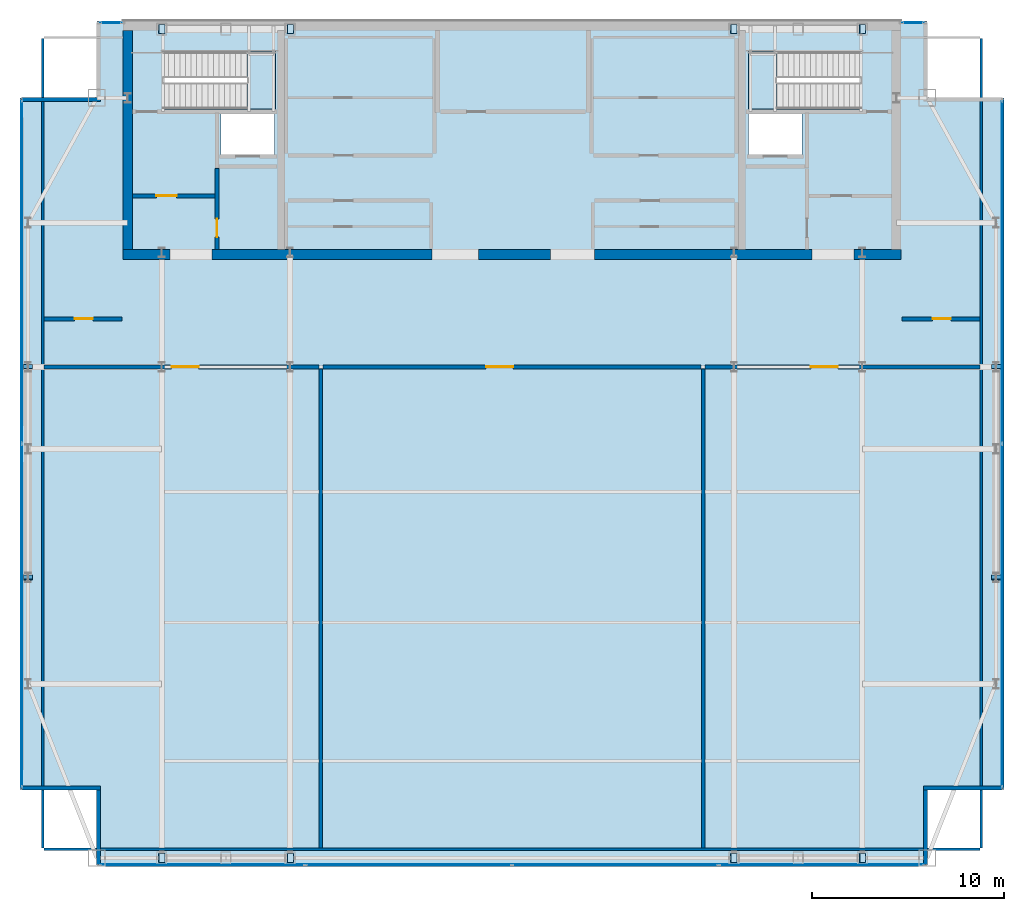
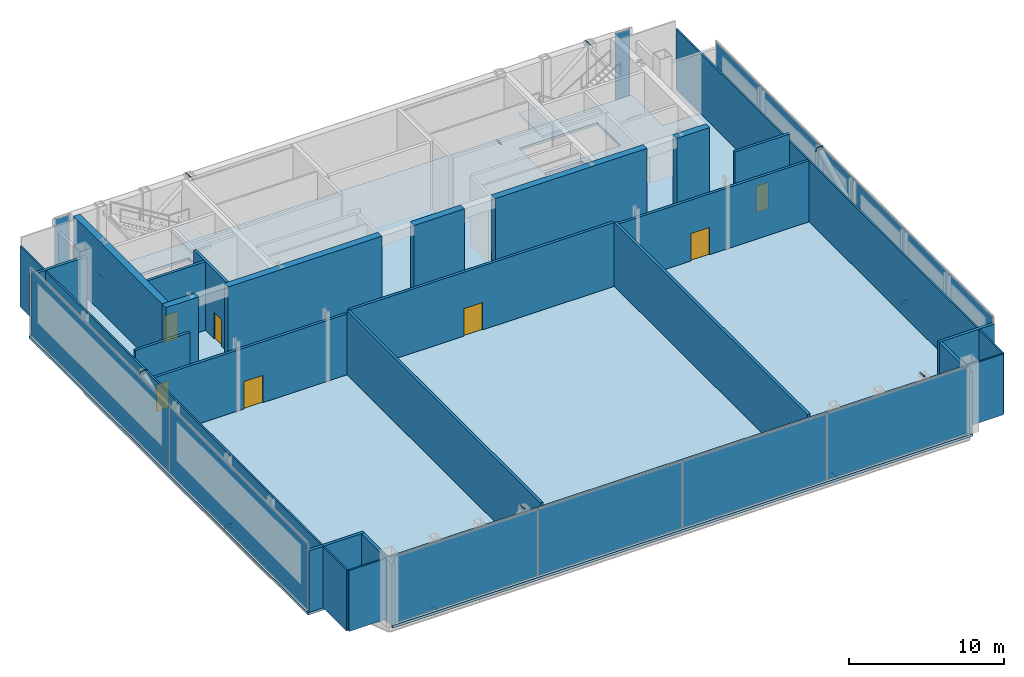
# One storey, part 18 of 22: 23 walls, 22 plates, 7 doors, 3 slabs, 7 openings, 7 elements without a shape of their own.
"""IFC4 building model written with IfcOpenShell, lengths in metres."""

from ifc_helpers import new_model, si_unit, direction, frame, frame_2d, origin, origin_2d, place, context, subcontext, project, spatial, polyline, rectangle, outline, extrude, material, layer, layer_set, type_object, element, fill, aggregate, save


model = new_model("IFC4")

# Units and contexts
model_context = context("Model", 3, precision=1e-05, world=origin(), true_north=direction((0.0, 1.0)))
body_context = subcontext(model_context, "Body", "Model", "MODEL_VIEW")
ifc_project = project(units=[si_unit("LENGTHUNIT", "METRE"), si_unit("AREAUNIT", "SQUARE_METRE"), si_unit("VOLUMEUNIT", "CUBIC_METRE"), si_unit("PLANEANGLEUNIT", "RADIAN"), si_unit("MASSUNIT", "GRAM", prefix="KILO")], contexts=[model_context])

# Site, building, storey
site_placement = place(None, origin())
site = spatial("IfcSite", under=ifc_project, at=site_placement, CompositionType="ELEMENT")
building_placement = place(site_placement, origin())
building = spatial("IfcBuilding", under=site, at=building_placement, Name="Khoronbel Lancet Exchange", CompositionType="ELEMENT")
storey_placement = place(building_placement, frame((0.0, 0.0, 373.0)))
storey = spatial("IfcBuildingStorey", under=building, at=storey_placement, Name="L95", CompositionType="ELEMENT", Elevation=373.0)

# Curtain wall, plates
ifc_material_1 = material(Name="Low-E Solar Control Insulating Glass", Category="glass")
curtain_wall_type = type_object("IfcCurtainWallType", Name="CW-6", PredefinedType="NOTDEFINED", material=ifc_material_1)
curtain_wall_1_placement = place(storey_placement, origin())
curtain_wall_1 = element("IfcCurtainWall", 1, at=curtain_wall_1_placement, inside=storey, type_object=curtain_wall_type, Name="Unitised curtain wall CW-L95-E03", PredefinedType="NOTDEFINED")
ifc_material_2 = material(Name="Bronze-Anodised Aluminium 6063-T6", Category="aluminium")
ifc_layer_1 = layer(ifc_material_2, 0.050048828125, Name="Bronze-Anodised Aluminium 6063-T6")
ifc_layer_set_1 = layer_set([ifc_layer_1], Name="Bronze-Anodised Aluminium 6063-T6")
plate_type_1 = type_object("IfcPlateType", Name="PLT-CSP1", PredefinedType="SHEET", material=ifc_layer_set_1)
plate_1_placement = place(storey_placement, frame((10.93994140625, 22.763671875, 0.0849609375), z_axis=(0.0, 0.0, 1.0), x_axis=(0.0, 1.0, 0.0)))
plate_1 = element("IfcPlate", 2, at=plate_1_placement, type_object=plate_type_1, Name="CW6 panel 1.1", PredefinedType="CURTAIN_PANEL", context=body_context, shape_type="SweptSolid", body=[
    extrude(rectangle(XDim=17.797607421875, YDim=0.0380859375, at=origin_2d()), origin(), (0.0, 0.0, 1.0), 5.22998046875),
])
plate_2_placement = place(storey_placement, frame((10.93994140625, 40.63623046875, 0.0849609375), z_axis=(0.0, 0.0, 1.0), x_axis=(0.0, 1.0, 0.0)))
plate_2 = element("IfcPlate", 3, at=plate_2_placement, type_object=plate_type_1, Name="CW6 panel 2.1", PredefinedType="CURTAIN_PANEL", context=body_context, shape_type="SweptSolid", body=[
    extrude(rectangle(XDim=17.797607421875, YDim=0.0380859375, at=origin_2d()), origin(), (0.0, 0.0, 1.0), 5.22998046875),
])
aggregate(curtain_wall_1, [plate_1, plate_2])

# Curtain wall, plate
curtain_wall_2_placement = place(storey_placement, origin())
curtain_wall_2 = element("IfcCurtainWall", 4, at=curtain_wall_2_placement, inside=storey, type_object=curtain_wall_type, Name="Unitised curtain wall CW-L95-NWFLK", PredefinedType="NOTDEFINED")
plate_3_placement = place(storey_placement, frame((15.580078125, 53.610107421875, 0.0849609375), z_axis=(0.0, 0.0, 1.0), x_axis=(-1.0, 0.0, 0.0)))
plate_3 = element("IfcPlate", 5, at=plate_3_placement, type_object=plate_type_1, Name="CW6 panel 1.1", PredefinedType="CURTAIN_PANEL", context=body_context, shape_type="SweptSolid", body=[
    extrude(rectangle(XDim=1.110107421875, YDim=0.0380859375, at=origin_2d()), origin(), (0.0, 0.0, 1.0), 5.22998046875),
])
aggregate(curtain_wall_2, [plate_3])

curtain_wall_3_placement = place(storey_placement, origin())
curtain_wall_3 = element("IfcCurtainWall", 6, at=curtain_wall_3_placement, inside=storey, type_object=curtain_wall_type, Name="Unitised curtain wall CW-L95-NEFLK", PredefinedType="NOTDEFINED")
plate_4_placement = place(storey_placement, frame((57.320068359375, 53.610107421875, 0.0849609375), z_axis=(0.0, 0.0, 1.0), x_axis=(-1.0, 0.0, 0.0)))
plate_4 = element("IfcPlate", 7, at=plate_4_placement, type_object=plate_type_1, Name="CW6 panel 1.1", PredefinedType="CURTAIN_PANEL", context=body_context, shape_type="SweptSolid", body=[
    extrude(rectangle(XDim=1.110107421875, YDim=0.0380859375, at=origin_2d()), origin(), (0.0, 0.0, 1.0), 5.22998046875),
])
aggregate(curtain_wall_3, [plate_4])

# Curtain wall, plates
curtain_wall_4_placement = place(storey_placement, origin())
curtain_wall_4 = element("IfcCurtainWall", 8, at=curtain_wall_4_placement, inside=storey, type_object=curtain_wall_type, Name="Unitised curtain wall CW-L95-E09", PredefinedType="NOTDEFINED")
plate_5_placement = place(storey_placement, frame((61.9599609375, 40.63623046875, 0.0849609375), z_axis=(0.0, 0.0, 1.0), x_axis=(0.0, -1.0, 0.0)))
plate_5 = element("IfcPlate", 9, at=plate_5_placement, type_object=plate_type_1, Name="CW6 panel 1.1", PredefinedType="CURTAIN_PANEL", context=body_context, shape_type="SweptSolid", body=[
    extrude(rectangle(XDim=17.797607421875, YDim=0.0380859375, at=origin_2d()), origin(), (0.0, 0.0, 1.0), 5.22998046875),
])
plate_6_placement = place(storey_placement, frame((61.9599609375, 22.763671875, 0.0849609375), z_axis=(0.0, 0.0, 1.0), x_axis=(0.0, -1.0, 0.0)))
plate_6 = element("IfcPlate", 10, at=plate_6_placement, type_object=plate_type_1, Name="CW6 panel 2.1", PredefinedType="CURTAIN_PANEL", context=body_context, shape_type="SweptSolid", body=[
    extrude(rectangle(XDim=17.797607421875, YDim=0.0380859375, at=origin_2d()), origin(), (0.0, 0.0, 1.0), 5.22998046875),
])
aggregate(curtain_wall_4, [plate_5, plate_6])

curtain_wall_5_placement = place(storey_placement, origin())
curtain_wall_5 = element("IfcCurtainWall", 11, at=curtain_wall_5_placement, inside=storey, type_object=curtain_wall_type, Name="Unitised curtain wall CW-L95-E12", PredefinedType="NOTDEFINED")
plate_7_placement = place(storey_placement, frame((52.563720703125, 9.7900390625, 0.0849609375), z_axis=(0.0, 0.0, 1.0), x_axis=(-1.0, 0.0, 0.0)))
plate_7 = element("IfcPlate", 12, at=plate_7_placement, type_object=plate_type_1, Name="CW6 panel 1.1", PredefinedType="CURTAIN_PANEL", context=body_context, shape_type="SweptSolid", body=[
    extrude(rectangle(XDim=10.642578125, YDim=0.0380859375, at=origin_2d()), origin(), (0.0, 0.0, 1.0), 5.22998046875),
])
plate_8_placement = place(storey_placement, frame((41.827392578125, 9.7900390625, 0.0849609375), z_axis=(0.0, 0.0, 1.0), x_axis=(-1.0, 0.0, 0.0)))
plate_8 = element("IfcPlate", 13, at=plate_8_placement, type_object=plate_type_1, Name="CW6 panel 2.1", PredefinedType="CURTAIN_PANEL", context=body_context, shape_type="SweptSolid", body=[
    extrude(rectangle(XDim=10.679931640625, YDim=0.0380859375, at=origin_2d()), origin(), (0.0, 0.0, 1.0), 5.22998046875),
])
plate_9_placement = place(storey_placement, frame((31.072509765625, 9.7900390625, 0.0849609375), z_axis=(0.0, 0.0, 1.0), x_axis=(-1.0, 0.0, 0.0)))
plate_9 = element("IfcPlate", 14, at=plate_9_placement, type_object=plate_type_1, Name="CW6 panel 3.1", PredefinedType="CURTAIN_PANEL", context=body_context, shape_type="SweptSolid", body=[
    extrude(rectangle(XDim=10.679931640625, YDim=0.0380859375, at=origin_2d()), origin(), (0.0, 0.0, 1.0), 5.22998046875),
])
plate_10_placement = place(storey_placement, frame((20.336181640625, 9.7900390625, 0.0849609375), z_axis=(0.0, 0.0, 1.0), x_axis=(-1.0, 0.0, 0.0)))
plate_10 = element("IfcPlate", 15, at=plate_10_placement, type_object=plate_type_1, Name="CW6 panel 4.1", PredefinedType="CURTAIN_PANEL", context=body_context, shape_type="SweptSolid", body=[
    extrude(rectangle(XDim=10.642578125, YDim=0.0380859375, at=origin_2d()), origin(), (0.0, 0.0, 1.0), 5.22998046875),
])
aggregate(curtain_wall_5, [plate_7, plate_8, plate_9, plate_10])

# Plates
ifc_material_3 = material(Name="Steel S460", Category="steel")
ifc_layer_2 = layer(ifc_material_3, 0.044921875, Name="Steel S460")
ifc_layer_set_2 = layer_set([ifc_layer_2], Name="Steel S460")
plate_type_2 = type_object("IfcPlateType", Name="PLT-ECP1", PredefinedType="USERDEFINED", material=ifc_layer_set_2)
for number, where, z_axis, x_axis, name in (
    (16, (18.385498046875, 9.909912109375, -0.1787109375), (0.776331812699, 0.0, 0.63032445343), (0.0, 1.0, 0.0), "Hollow end cap plate PLT-CAP-MEM-L95-CROWN-BR-S1-0"),
    (17, (25.076904296875, 9.909912109375, 5.25439453125), (0.776533818533, 0.0, 0.63007557378), (0.0, 1.0, 0.0), "Hollow end cap plate PLT-CAP-MEM-L95-CROWN-BR-S1-1"),
    (18, (48.16064453125, 9.909912109375, -0.1787109375), (0.776082886451, 0.0, 0.630630916906), (0.0, 1.0, 0.0), "Hollow end cap plate PLT-CAP-MEM-L95-CROWN-BR-S2-0"),
    (19, (54.851806640625, 9.909912109375, 5.25439453125), (0.776533818533, 0.0, 0.63007557378), (0.0, 1.0, 0.0), "Hollow end cap plate PLT-CAP-MEM-L95-CROWN-BR-S2-1"),
    (20, (18.385498046875, 53.0400390625, -0.1787109375), (0.776331812699, 0.0, 0.63032445343), (0.0, 1.0, 0.0), "Hollow end cap plate PLT-CAP-MEM-L95-CROWN-BR-N1-0"),
    (21, (25.076904296875, 53.0400390625, 5.25439453125), (0.776533818533, 0.0, 0.63007557378), (0.0, 1.0, 0.0), "Hollow end cap plate PLT-CAP-MEM-L95-CROWN-BR-N1-1"),
    (22, (48.16064453125, 53.0400390625, -0.1787109375), (0.776082886451, 0.0, 0.630630916906), (0.0, 1.0, 0.0), "Hollow end cap plate PLT-CAP-MEM-L95-CROWN-BR-N2-0"),
    (23, (54.851806640625, 53.0400390625, 5.25439453125), (0.776533818533, 0.0, 0.63007557378), (0.0, 1.0, 0.0), "Hollow end cap plate PLT-CAP-MEM-L95-CROWN-BR-N2-1"),
    (24, (11.510009765625, 24.8671875, -0.209716796875), (0.0, 0.896250852625, 0.443547527519), (-1.0, 0.0, 0.0), "Hollow end cap plate PLT-CAP-MEM-L95-CROWN-BR-W1-0"),
    (25, (11.510009765625, 35.8359375, 5.219482421875), (0.0, 0.896250852625, 0.443547527519), (-1.0, 0.0, 0.0), "Hollow end cap plate PLT-CAP-MEM-L95-CROWN-BR-W1-1"),
):
    element("IfcPlate", number, at=place(storey_placement, frame(where, z_axis=z_axis, x_axis=x_axis)), inside=storey, type_object=plate_type_2, Name=name, ObjectType="STIFFENER_PLATE", PredefinedType="USERDEFINED", context=body_context, shape_type="SweptSolid", body=[
        extrude(outline(polyline([(0.0, 0.0), (0.47998046875, 0.0), (0.47998046875, 0.47998046875), (0.0, 0.47998046875), (0.0, 0.0)])), origin(), (0.0, 0.0, -1.0), 0.044921875),
    ])
for number, where, z_axis, x_axis, name in (
    (26, (61.8701171875, 24.8671875, -0.209716796875), (0.0, 0.896250852625, 0.443547527519), (-1.0, 0.0, 0.0), "Hollow end cap plate PLT-CAP-MEM-L95-CROWN-BR-E1-0"),
    (27, (61.8701171875, 35.8359375, 5.219482421875), (0.0, 0.896250852625, 0.443547527519), (-1.0, 0.0, 0.0), "Hollow end cap plate PLT-CAP-MEM-L95-CROWN-BR-E1-1"),
):
    element("IfcPlate", number, at=place(storey_placement, frame(where, z_axis=z_axis, x_axis=x_axis)), inside=storey, type_object=plate_type_2, Name=name, ObjectType="STIFFENER_PLATE", PredefinedType="USERDEFINED", context=body_context, shape_type="SweptSolid", body=[
        extrude(outline(polyline([(0.0, 0.0), (0.480224609375, 0.0), (0.480224609375, 0.47998046875), (0.0, 0.47998046875), (0.0, 0.0)])), origin(), (0.0, 0.0, -1.0), 0.044921875),
    ])

# Slab
ifc_material_4 = material(Name="Concrete C40/50", Category="concrete")
ifc_layer_3 = layer(ifc_material_4, 0.199951171875, Name="Concrete C40/50")
ifc_layer_set_3 = layer_set([ifc_layer_3], Name="Concrete C40/50")
slab_type_1 = type_object("IfcSlabType", Name="SL-FL200", PredefinedType="FLOOR", material=ifc_layer_set_3)
slab_1_placement = place(storey_placement, frame((0.0, 0.0, -0.199951171875)))
element("IfcSlab", 28, at=slab_1_placement, inside=storey, type_object=slab_type_1, Name="Level L95 composite structural floor slab", PredefinedType="FLOOR", context=body_context, shape_type="SweptSolid", body=[
    extrude(outline(polyline([(14.85009765625, 9.699951171875), (58.050048828125, 9.699951171875), (58.050048828125, 13.699951171875), (62.050048828125, 13.699951171875), (62.050048828125, 17.699951171875), (62.050048828125, 45.699951171875), (62.050048828125, 49.699951171875), (58.050048828125, 49.699951171875), (58.050048828125, 53.699951171875), (14.85009765625, 53.699951171875), (14.85009765625, 49.699951171875), (10.85009765625, 49.699951171875), (10.85009765625, 45.699951171875), (10.85009765625, 17.699951171875), (10.85009765625, 13.699951171875), (14.85009765625, 13.699951171875), (14.85009765625, 9.699951171875)]), holes=[polyline([(18.324951171875, 49.1201171875), (24.14990234375, 49.1201171875), (24.14990234375, 52.10009765625), (18.324951171875, 52.10009765625), (18.324951171875, 49.1201171875)]), polyline([(48.75, 49.1201171875), (54.574951171875, 49.1201171875), (54.574951171875, 52.10009765625), (48.75, 52.10009765625), (48.75, 49.1201171875)]), polyline([(21.300048828125, 46.75), (24.10009765625, 46.75), (24.10009765625, 48.85009765625), (21.300048828125, 48.85009765625), (21.300048828125, 46.75)]), polyline([(48.75, 46.75), (51.550048828125, 46.75), (51.550048828125, 48.85009765625), (48.75, 48.85009765625), (48.75, 46.75)])]), origin(), (0.0, 0.0, 1.0), 0.199951171875),
])

# Stair, slab
stair_type = type_object("IfcStairType", Name="STR-CRN135", PredefinedType="HALF_TURN_STAIR", material=ifc_material_4)
stair_1_placement = place(storey_placement, origin())
stair_1 = element("IfcStair", 29, at=stair_1_placement, inside=storey, type_object=stair_type, Name="L95 Protected Exit Stair ST1", PredefinedType="HALF_TURN_STAIR")
ifc_layer_4 = layer(ifc_material_4, 0.199951171875, Name="Concrete C40/50")
ifc_layer_set_4 = layer_set([ifc_layer_4], Name="Concrete C40/50")
slab_type_2 = type_object("IfcSlabType", Name="SL-LND180", PredefinedType="LANDING", material=ifc_layer_set_4)
slab_2_placement = place(storey_placement, frame((0.0, 0.0, 2.60009765625)))
slab_2 = element("IfcSlab", 30, at=slab_2_placement, type_object=slab_type_2, Name="ST1 landing 1", PredefinedType="LANDING", context=body_context, shape_type="SweptSolid", body=[
    extrude(outline(polyline([(22.64990234375, 49.1201171875), (24.14990234375, 49.1201171875), (24.14990234375, 52.10009765625), (22.64990234375, 52.10009765625), (22.64990234375, 49.1201171875)])), origin(), (0.0, 0.0, 1.0), 0.199951171875),
])
aggregate(stair_1, [slab_2])

stair_2_placement = place(storey_placement, origin())
stair_2 = element("IfcStair", 31, at=stair_2_placement, inside=storey, type_object=stair_type, Name="L95 Protected Exit Stair ST2", PredefinedType="HALF_TURN_STAIR")
slab_3_placement = place(storey_placement, frame((0.0, 0.0, 2.60009765625)))
slab_3 = element("IfcSlab", 32, at=slab_3_placement, type_object=slab_type_2, Name="ST2 landing 1", PredefinedType="LANDING", context=body_context, shape_type="SweptSolid", body=[
    extrude(outline(polyline([(50.25, 52.10009765625), (48.75, 52.10009765625), (48.75, 49.1201171875), (50.25, 49.1201171875), (50.25, 52.10009765625)])), origin(), (0.0, 0.0, 1.0), 0.199951171875),
])
aggregate(stair_2, [slab_3])

# Walls
ifc_material_5 = material(Name="Concrete C60/75", Category="concrete")
ifc_layer_5 = layer(ifc_material_5, 0.5, Name="Concrete C60/75")
ifc_layer_set_5 = layer_set([ifc_layer_5], Name="Concrete C60/75")
wall_type_1 = type_object("IfcWallType", Name="WL-CW4", PredefinedType="SHEAR", material=ifc_layer_set_5)
wall_1_placement = place(storey_placement, frame((16.449951171875, 41.800048828125, 0.0), z_axis=(0.0, 0.0, 1.0), x_axis=(0.0, 1.0, 0.0)))
element("IfcWall", 33, at=wall_1_placement, inside=storey, type_object=wall_type_1, Name="Level L95 rear core west shear wall", PredefinedType="SHEAR", context=body_context, shape_type="SweptSolid", body=[
    extrude(rectangle(XDim=11.39990234375, YDim=0.5, at=frame_2d((5.699951171875, 0.0))), origin(), (0.0, 0.0, 1.0), 5.39990234375),
])
wall_2_placement = place(storey_placement, frame((18.64990234375, 41.550048828125, 0.0), z_axis=(0.0, 0.0, 1.0), x_axis=(-1.0, 0.0, 0.0)))
element("IfcWall", 34, at=wall_2_placement, inside=storey, type_object=wall_type_1, Name="Level L95 rear core south shear wall pier P1", PredefinedType="SHEAR", context=body_context, shape_type="SweptSolid", body=[
    extrude(rectangle(XDim=2.449951171875, YDim=0.5, at=frame_2d((1.22509765625, 0.0))), origin(), (0.0, 0.0, 1.0), 5.39990234375),
])
wall_3_placement = place(storey_placement, frame((32.300048828125, 41.550048828125, 0.0), z_axis=(0.0, 0.0, 1.0), x_axis=(-1.0, 0.0, 0.0)))
element("IfcWall", 35, at=wall_3_placement, inside=storey, type_object=wall_type_1, Name="Level L95 rear core south shear wall pier P2", PredefinedType="SHEAR", context=body_context, shape_type="SweptSolid", body=[
    extrude(rectangle(XDim=11.449951171875, YDim=0.5, at=frame_2d((5.72509765625, 0.0))), origin(), (0.0, 0.0, 1.0), 5.39990234375),
])
wall_4_placement = place(storey_placement, frame((38.449951171875, 41.550048828125, 0.0), z_axis=(0.0, 0.0, 1.0), x_axis=(-1.0, 0.0, 0.0)))
element("IfcWall", 36, at=wall_4_placement, inside=storey, type_object=wall_type_1, Name="Level L95 rear core south shear wall pier P3", PredefinedType="SHEAR", context=body_context, shape_type="SweptSolid", body=[
    extrude(rectangle(XDim=3.75, YDim=0.5, at=frame_2d((1.875, 0.0))), origin(), (0.0, 0.0, 1.0), 5.39990234375),
])
wall_5_placement = place(storey_placement, frame((52.050048828125, 41.550048828125, 0.0), z_axis=(0.0, 0.0, 1.0), x_axis=(-1.0, 0.0, 0.0)))
element("IfcWall", 37, at=wall_5_placement, inside=storey, type_object=wall_type_1, Name="Level L95 rear core south shear wall pier P4", PredefinedType="SHEAR", context=body_context, shape_type="SweptSolid", body=[
    extrude(rectangle(XDim=11.300048828125, YDim=0.5, at=frame_2d((5.64990234375, 0.0))), origin(), (0.0, 0.0, 1.0), 5.39990234375),
])
wall_6_placement = place(storey_placement, frame((56.699951171875, 41.550048828125, 0.0), z_axis=(0.0, 0.0, 1.0), x_axis=(-1.0, 0.0, 0.0)))
element("IfcWall", 38, at=wall_6_placement, inside=storey, type_object=wall_type_1, Name="Level L95 rear core south shear wall pier P5", PredefinedType="SHEAR", context=body_context, shape_type="SweptSolid", body=[
    extrude(rectangle(XDim=2.449951171875, YDim=0.5, at=frame_2d((1.22509765625, 0.0))), origin(), (0.0, 0.0, 1.0), 5.39990234375),
])
ifc_material_6 = material(Name="Precast concrete C40/50", Category="concrete")
ifc_layer_6 = layer(ifc_material_6, 0.25, Name="Precast concrete C40/50")
ifc_layer_set_6 = layer_set([ifc_layer_6], Name="Precast concrete C40/50")
wall_type_2 = type_object("IfcWallType", Name="WL-EXT250", PredefinedType="SOLIDWALL", material=ifc_layer_set_6)
wall_7_placement = place(storey_placement, frame((14.93994140625, 9.77001953125, 0.0), z_axis=(0.0, 0.0, 1.0), x_axis=(0.0, 1.0, 0.0)))
element("IfcWall", 39, at=wall_7_placement, inside=storey, type_object=wall_type_2, Name="Level L95 notched-corner limestone pier 01", PredefinedType="SOLIDWALL", context=body_context, shape_type="SweptSolid", body=[
    extrude(rectangle(XDim=3.909912109375, YDim=0.219970703125, at=frame_2d((1.955078125, 0.0))), origin(), (0.0, 0.0, 1.0), 4.840087890625),
])
for number, where, z_axis, x_axis, name in (
    (40, (15.050048828125, 13.7900390625, 0.0), (0.0, 0.0, 1.0), (-1.0, 0.0, 0.0), "Level L95 notched-corner limestone pier 02"),
    (41, (10.919921875, 49.610107421875, 0.0), (0.0, 0.0, 1.0), (1.0, 0.0, 0.0), "Level L95 notched-corner limestone pier 04"),
):
    element("IfcWall", number, at=place(storey_placement, frame(where, z_axis=z_axis, x_axis=x_axis)), inside=storey, type_object=wall_type_2, Name=name, PredefinedType="SOLIDWALL", context=body_context, shape_type="SweptSolid", body=[
        extrude(rectangle(XDim=4.130126953125, YDim=0.219970703125, at=frame_2d((2.06494140625, 0.0))), origin(), (0.0, 0.0, 1.0), 4.840087890625),
    ])
wall_8_placement = place(storey_placement, frame((61.97998046875, 13.7900390625, 0.0), z_axis=(0.0, 0.0, 1.0), x_axis=(-1.0, 0.0, 0.0)))
element("IfcWall", 42, at=wall_8_placement, inside=storey, type_object=wall_type_2, Name="Level L95 notched-corner limestone pier 10", PredefinedType="SOLIDWALL", context=body_context, shape_type="SweptSolid", body=[
    extrude(rectangle(XDim=4.1298828125, YDim=0.219970703125, at=frame_2d((2.06494140625, 0.0))), origin(), (0.0, 0.0, 1.0), 4.840087890625),
])
wall_9_placement = place(storey_placement, frame((57.9599609375, 13.679931640625, 0.0), z_axis=(0.0, 0.0, 1.0), x_axis=(0.0, -1.0, 0.0)))
element("IfcWall", 43, at=wall_9_placement, inside=storey, type_object=wall_type_2, Name="Level L95 notched-corner limestone pier 11", PredefinedType="SOLIDWALL", context=body_context, shape_type="SweptSolid", body=[
    extrude(rectangle(XDim=3.909912109375, YDim=0.219970703125, at=frame_2d((1.955078125, 0.0))), origin(), (0.0, 0.0, 1.0), 4.840087890625),
])
ifc_material_7 = material(Name="Acoustic Metal-Stud & Mineral-Wool Gypsum Partition 120 mm", Category="gypsum")
ifc_layer_7 = layer(ifc_material_7, 0.1201171875, Name="Acoustic Metal-Stud & Mineral-Wool Gypsum Partition 120 mm")
ifc_layer_set_7 = layer_set([ifc_layer_7], Name="Acoustic Metal-Stud & Mineral-Wool Gypsum Partition 120 mm")
wall_type_3 = type_object("IfcWallType", Name="WL-PRT120", PredefinedType="PARTITIONING", material=ifc_layer_set_7)
for number, where, z_axis, x_axis, name in (
    (44, (12.030029296875, 10.6650390625, 0.0), (0.0, 0.0, 1.0), (0.0, 1.0, 0.0), "Level L95 interior partition PW-LIN-W"),
    (45, (60.8701171875, 10.6650390625, 0.0), (0.0, 0.0, 1.0), (0.0, 1.0, 0.0), "Level L95 interior partition PW-LIN-E"),
):
    element("IfcWall", number, at=place(storey_placement, frame(where, z_axis=z_axis, x_axis=x_axis)), inside=storey, type_object=wall_type_3, Name=name, PredefinedType="PARTITIONING", context=body_context, shape_type="SweptSolid", body=[
        extrude(rectangle(XDim=42.10986328125, YDim=0.1201171875, at=frame_2d((21.054931640625, 0.0))), origin(), (0.0, 0.0, 1.0), 4.7900390625),
    ])
wall_10_placement = place(storey_placement, frame((12.094970703125, 10.60009765625, 0.0), z_axis=(0.0, 0.0, 1.0), x_axis=(1.0, 0.0, 0.0)))
element("IfcWall", 46, at=wall_10_placement, inside=storey, type_object=wall_type_3, Name="Level L95 interior partition PW-LIN-S", PredefinedType="PARTITIONING", context=body_context, shape_type="SweptSolid", body=[
    extrude(rectangle(XDim=48.7099609375, YDim=0.1201171875, at=frame_2d((24.35498046875, 0.0))), origin(), (0.0, 0.0, 1.0), 4.7900390625),
])

# Wall, opening, door
ifc_material_8 = material(Name="Autoclaved Aerated Concrete Blockwork 200 mm", Category="masonry")
ifc_layer_8 = layer(ifc_material_8, 0.199951171875, Name="Autoclaved Aerated Concrete Blockwork 200 mm")
ifc_layer_set_8 = layer_set([ifc_layer_8], Name="Autoclaved Aerated Concrete Blockwork 200 mm")
wall_type_4 = type_object("IfcWallType", Name="WL-PRT200", PredefinedType="PARTITIONING", material=ifc_layer_set_8)
wall_11_placement = place(storey_placement, frame((16.699951171875, 44.60009765625, 0.0), z_axis=(0.0, 0.0, 1.0), x_axis=(1.0, 0.0, 0.0)))
wall_11 = element("IfcWall", 47, at=wall_11_placement, inside=storey, type_object=wall_type_4, Name="Level L95 interior partition CW-FFLW-S", PredefinedType="PARTITIONING", context=body_context, shape_type="SweptSolid", body=[
    extrude(rectangle(XDim=4.300048828125, YDim=0.199951171875, at=frame_2d((2.14990234375, 0.0))), origin(), (0.0, 0.0, 1.0), 5.39990234375),
])
opening_1_placement = place(wall_11_placement, frame((1.25, 0.0, 0.0)))
opening_1 = element("IfcOpeningElement", 48, at=opening_1_placement, cuts=wall_11, Name="Opening FD1", PredefinedType="OPENING", context=body_context, shape_type="SweptSolid", body=[
    extrude(rectangle(XDim=1.050048828125, YDim=2.14990234375, at=frame_2d((0.52490234375, 1.074951171875))), frame((0.0, 0.10986328125, 0.0), z_axis=(0.0, -1.0, 0.0), x_axis=(1.0, 0.0, 0.0)), (0.0, 0.0, 1.0), 0.219970703125),
])
ifc_material_9 = material(Name="Fire-Rated Painted Steel Door Assembly", Category="steel")
door_type_1 = type_object("IfcDoorType", Name="DR-FD1", OperationType="NOTDEFINED", PredefinedType="DOOR", material=ifc_material_9)
door_1_placement = place(opening_1_placement, origin())
door_1 = element("IfcDoor", 49, at=door_1_placement, inside=storey, type_object=door_type_1, Name="West firefighting lobby FD90S door L95-1", OperationType="SINGLE_SWING_LEFT", OverallHeight=2.14990234375, OverallWidth=1.050048828125, PredefinedType="DOOR", context=body_context, shape_type="SweptSolid", body=[
    extrude(rectangle(XDim=1.050048828125, YDim=2.14990234375, at=frame_2d((0.52490234375, 1.074951171875))), frame((0.0, 0.02490234375, 0.0), z_axis=(0.0, -1.0, 0.0), x_axis=(1.0, 0.0, 0.0)), (0.0, 0.0, 1.0), 0.050048828125),
])
fill(opening_1, door_1)

wall_12_placement = place(storey_placement, frame((21.10009765625, 41.800048828125, 0.0), z_axis=(0.0, 0.0, 1.0), x_axis=(0.0, 1.0, 0.0)))
wall_12 = element("IfcWall", 50, at=wall_12_placement, inside=storey, type_object=wall_type_4, Name="Level L95 interior partition CW-SVL1-REC", PredefinedType="PARTITIONING", context=body_context, shape_type="SweptSolid", body=[
    extrude(rectangle(XDim=4.21484375, YDim=0.199951171875, at=frame_2d((2.107421875, 0.0))), origin(), (0.0, 0.0, 1.0), 5.39990234375),
])
opening_2_placement = place(wall_12_placement, frame((0.64990234375, 0.0, 0.0)))
opening_2 = element("IfcOpeningElement", 51, at=opening_2_placement, cuts=wall_12, Name="Opening FD3", PredefinedType="OPENING", context=body_context, shape_type="SweptSolid", body=[
    extrude(rectangle(XDim=0.949951171875, YDim=2.10009765625, at=frame_2d((0.47509765625, 1.050048828125))), frame((0.0, 0.10986328125, 0.0), z_axis=(0.0, -1.0, 0.0), x_axis=(1.0, 0.0, 0.0)), (0.0, 0.0, 1.0), 0.219970703125),
])
ifc_material_10 = material(Name="Fire-Rated Steel Plant & Riser Door Assembly", Category="steel")
door_type_2 = type_object("IfcDoorType", Name="DR-FD3", OperationType="NOTDEFINED", PredefinedType="DOOR", material=ifc_material_10)
door_2_placement = place(opening_2_placement, origin())
door_2 = element("IfcDoor", 52, at=door_2_placement, inside=storey, type_object=door_type_2, Name="Crown telecoms plant door L95-1", OperationType="SINGLE_SWING_RIGHT", OverallHeight=2.10009765625, OverallWidth=0.949951171875, PredefinedType="DOOR", context=body_context, shape_type="SweptSolid", body=[
    extrude(rectangle(XDim=0.949951171875, YDim=2.10009765625, at=frame_2d((0.47509765625, 1.050048828125))), frame((0.0, 0.02490234375, 0.0), z_axis=(0.0, -1.0, 0.0), x_axis=(1.0, 0.0, 0.0)), (0.0, 0.0, 1.0), 0.050048828125),
])
fill(opening_2, door_2)

wall_13_placement = place(storey_placement, frame((12.094970703125, 35.699951171875, 0.0), z_axis=(0.0, 0.0, 1.0), x_axis=(1.0, 0.0, 0.0)))
wall_13 = element("IfcWall", 53, at=wall_13_placement, inside=storey, type_object=wall_type_4, Name="Level L95 interior partition PW-CRN-S1", PredefinedType="PARTITIONING", context=body_context, shape_type="SweptSolid", body=[
    extrude(rectangle(XDim=14.300048828125, YDim=0.199951171875, at=frame_2d((7.14990234375, 0.0))), origin(), (0.0, 0.0, 1.0), 4.7900390625),
])
opening_3_placement = place(wall_13_placement, frame((6.64990234375, 0.0, 0.0)))
opening_3 = element("IfcOpeningElement", 54, at=opening_3_placement, cuts=wall_13, Name="Opening D7", PredefinedType="OPENING", context=body_context, shape_type="SweptSolid", body=[
    extrude(rectangle(XDim=1.39990234375, YDim=2.14990234375, at=frame_2d((0.699951171875, 1.074951171875))), frame((0.0, 0.10986328125, 0.0), z_axis=(0.0, -1.0, 0.0), x_axis=(1.0, 0.0, 0.0)), (0.0, 0.0, 1.0), 0.219970703125),
])
ifc_material_11 = material(Name="Fire-Rated Heavy Plant Double Door Assembly", Category="steel")
door_type_3 = type_object("IfcDoorType", Name="DR-D7", OperationType="NOTDEFINED", PredefinedType="DOOR", material=ifc_material_11)
door_3_placement = place(opening_3_placement, origin())
door_3 = element("IfcDoor", 55, at=door_3_placement, inside=storey, type_object=door_type_3, Name="Crown west plant double door L95-1", OperationType="DOUBLE_DOOR_SINGLE_SWING", OverallHeight=2.14990234375, OverallWidth=1.39990234375, PredefinedType="DOOR", context=body_context, shape_type="SweptSolid", body=[
    extrude(rectangle(XDim=1.39990234375, YDim=2.14990234375, at=frame_2d((0.699951171875, 1.074951171875))), frame((0.0, 0.02490234375, 0.0), z_axis=(0.0, -1.0, 0.0), x_axis=(1.0, 0.0, 0.0)), (0.0, 0.0, 1.0), 0.050048828125),
])
fill(opening_3, door_3)

wall_14_placement = place(storey_placement, frame((26.60498046875, 35.699951171875, 0.0), z_axis=(0.0, 0.0, 1.0), x_axis=(1.0, 0.0, 0.0)))
wall_14 = element("IfcWall", 56, at=wall_14_placement, inside=storey, type_object=wall_type_4, Name="Level L95 interior partition PW-CRN-S2", PredefinedType="PARTITIONING", context=body_context, shape_type="SweptSolid", body=[
    extrude(rectangle(XDim=19.68994140625, YDim=0.199951171875, at=frame_2d((9.844970703125, 0.0))), origin(), (0.0, 0.0, 1.0), 5.030029296875),
])
opening_4_placement = place(wall_14_placement, frame((8.5, 0.0, 0.0)))
opening_4 = element("IfcOpeningElement", 57, at=opening_4_placement, cuts=wall_14, Name="Opening D7", PredefinedType="OPENING", context=body_context, shape_type="SweptSolid", body=[
    extrude(rectangle(XDim=1.39990234375, YDim=2.14990234375, at=frame_2d((0.699951171875, 1.074951171875))), frame((0.0, 0.10986328125, 0.0), z_axis=(0.0, -1.0, 0.0), x_axis=(1.0, 0.0, 0.0)), (0.0, 0.0, 1.0), 0.219970703125),
])
door_4_placement = place(opening_4_placement, origin())
door_4 = element("IfcDoor", 58, at=door_4_placement, inside=storey, type_object=door_type_3, Name="Crown central cooling plant door L95-1", OperationType="DOUBLE_DOOR_SINGLE_SWING", OverallHeight=2.14990234375, OverallWidth=1.39990234375, PredefinedType="DOOR", context=body_context, shape_type="SweptSolid", body=[
    extrude(rectangle(XDim=1.39990234375, YDim=2.14990234375, at=frame_2d((0.699951171875, 1.074951171875))), frame((0.0, 0.02490234375, 0.0), z_axis=(0.0, -1.0, 0.0), x_axis=(1.0, 0.0, 0.0)), (0.0, 0.0, 1.0), 0.050048828125),
])
fill(opening_4, door_4)

wall_15_placement = place(storey_placement, frame((46.5048828125, 35.699951171875, 0.0), z_axis=(0.0, 0.0, 1.0), x_axis=(1.0, 0.0, 0.0)))
wall_15 = element("IfcWall", 59, at=wall_15_placement, inside=storey, type_object=wall_type_4, Name="Level L95 interior partition PW-CRN-S3", PredefinedType="PARTITIONING", context=body_context, shape_type="SweptSolid", body=[
    extrude(rectangle(XDim=14.300048828125, YDim=0.199951171875, at=frame_2d((7.14990234375, 0.0))), origin(), (0.0, 0.0, 1.0), 4.7900390625),
])
opening_5_placement = place(wall_15_placement, frame((5.5, 0.0, 0.0)))
opening_5 = element("IfcOpeningElement", 60, at=opening_5_placement, cuts=wall_15, Name="Opening D7", PredefinedType="OPENING", context=body_context, shape_type="SweptSolid", body=[
    extrude(rectangle(XDim=1.39990234375, YDim=2.14990234375, at=frame_2d((0.699951171875, 1.074951171875))), frame((0.0, 0.10986328125, 0.0), z_axis=(0.0, -1.0, 0.0), x_axis=(1.0, 0.0, 0.0)), (0.0, 0.0, 1.0), 0.219970703125),
])
door_5_placement = place(opening_5_placement, origin())
door_5 = element("IfcDoor", 61, at=door_5_placement, inside=storey, type_object=door_type_3, Name="Crown east plant double door L95-1", OperationType="DOUBLE_DOOR_SINGLE_SWING", OverallHeight=2.14990234375, OverallWidth=1.39990234375, PredefinedType="DOOR", context=body_context, shape_type="SweptSolid", body=[
    extrude(rectangle(XDim=1.39990234375, YDim=2.14990234375, at=frame_2d((0.699951171875, 1.074951171875))), frame((0.0, 0.02490234375, 0.0), z_axis=(0.0, -1.0, 0.0), x_axis=(1.0, 0.0, 0.0)), (0.0, 0.0, 1.0), 0.050048828125),
])
fill(opening_5, door_5)

# Walls
for number, where, z_axis, x_axis, name in (
    (62, (26.5, 10.6650390625, 0.0), (0.0, 0.0, 1.0), (0.0, 1.0, 0.0), "Level L95 interior partition PW-CRN-V1"),
    (63, (46.39990234375, 10.6650390625, 0.0), (0.0, 0.0, 1.0), (0.0, 1.0, 0.0), "Level L95 interior partition PW-CRN-V2"),
):
    element("IfcWall", number, at=place(storey_placement, frame(where, z_axis=z_axis, x_axis=x_axis)), inside=storey, type_object=wall_type_4, Name=name, PredefinedType="PARTITIONING", context=body_context, shape_type="SweptSolid", body=[
        extrude(rectangle(XDim=24.929931640625, YDim=0.199951171875, at=frame_2d((12.46484375, 0.0))), origin(), (0.0, 0.0, 1.0), 5.030029296875),
    ])

# Wall, opening, door
wall_16_placement = place(storey_placement, frame((12.094970703125, 38.199951171875, 0.0), z_axis=(0.0, 0.0, 1.0), x_axis=(1.0, 0.0, 0.0)))
wall_16 = element("IfcWall", 64, at=wall_16_placement, inside=storey, type_object=wall_type_4, Name="Level L95 interior partition PW-CRN-NW", PredefinedType="PARTITIONING", context=body_context, shape_type="SweptSolid", body=[
    extrude(rectangle(XDim=4.06494140625, YDim=0.199951171875, at=frame_2d((2.032470703125, 0.0))), origin(), (0.0, 0.0, 1.0), 5.39990234375),
])
opening_6_placement = place(wall_16_placement, frame((1.60009765625, 0.0, 0.0)))
opening_6 = element("IfcOpeningElement", 65, at=opening_6_placement, cuts=wall_16, Name="Opening FD3", PredefinedType="OPENING", context=body_context, shape_type="SweptSolid", body=[
    extrude(rectangle(XDim=0.949951171875, YDim=2.10009765625, at=frame_2d((0.47509765625, 1.050048828125))), frame((0.0, 0.10986328125, 0.0), z_axis=(0.0, -1.0, 0.0), x_axis=(1.0, 0.0, 0.0)), (0.0, 0.0, 1.0), 0.219970703125),
])
door_6_placement = place(opening_6_placement, origin())
door_6 = element("IfcDoor", 66, at=door_6_placement, inside=storey, type_object=door_type_2, Name="Crown NW exhaust plant door L95-1", OperationType="SINGLE_SWING_LEFT", OverallHeight=2.10009765625, OverallWidth=0.949951171875, PredefinedType="DOOR", context=body_context, shape_type="SweptSolid", body=[
    extrude(rectangle(XDim=0.949951171875, YDim=2.10009765625, at=frame_2d((0.47509765625, 1.050048828125))), frame((0.0, 0.02490234375, 0.0), z_axis=(0.0, -1.0, 0.0), x_axis=(1.0, 0.0, 0.0)), (0.0, 0.0, 1.0), 0.050048828125),
])
fill(opening_6, door_6)

wall_17_placement = place(storey_placement, frame((56.739990234375, 38.199951171875, 0.0), z_axis=(0.0, 0.0, 1.0), x_axis=(1.0, 0.0, 0.0)))
wall_17 = element("IfcWall", 67, at=wall_17_placement, inside=storey, type_object=wall_type_4, Name="Level L95 interior partition PW-CRN-NE", PredefinedType="PARTITIONING", context=body_context, shape_type="SweptSolid", body=[
    extrude(rectangle(XDim=4.06494140625, YDim=0.199951171875, at=frame_2d((2.032470703125, 0.0))), origin(), (0.0, 0.0, 1.0), 5.39990234375),
])
opening_7_placement = place(wall_17_placement, frame((1.60009765625, 0.0, 0.0)))
opening_7 = element("IfcOpeningElement", 68, at=opening_7_placement, cuts=wall_17, Name="Opening FD3", PredefinedType="OPENING", context=body_context, shape_type="SweptSolid", body=[
    extrude(rectangle(XDim=0.949951171875, YDim=2.10009765625, at=frame_2d((0.47509765625, 1.050048828125))), frame((0.0, 0.10986328125, 0.0), z_axis=(0.0, -1.0, 0.0), x_axis=(1.0, 0.0, 0.0)), (0.0, 0.0, 1.0), 0.219970703125),
])
door_7_placement = place(opening_7_placement, origin())
door_7 = element("IfcDoor", 69, at=door_7_placement, inside=storey, type_object=door_type_2, Name="Crown NE controls plant door L95-1", OperationType="SINGLE_SWING_RIGHT", OverallHeight=2.10009765625, OverallWidth=0.949951171875, PredefinedType="DOOR", context=body_context, shape_type="SweptSolid", body=[
    extrude(rectangle(XDim=0.949951171875, YDim=2.10009765625, at=frame_2d((0.47509765625, 1.050048828125))), frame((0.0, 0.02490234375, 0.0), z_axis=(0.0, -1.0, 0.0), x_axis=(1.0, 0.0, 0.0)), (0.0, 0.0, 1.0), 0.050048828125),
])
fill(opening_7, door_7)

save(model, "model.ifc")
